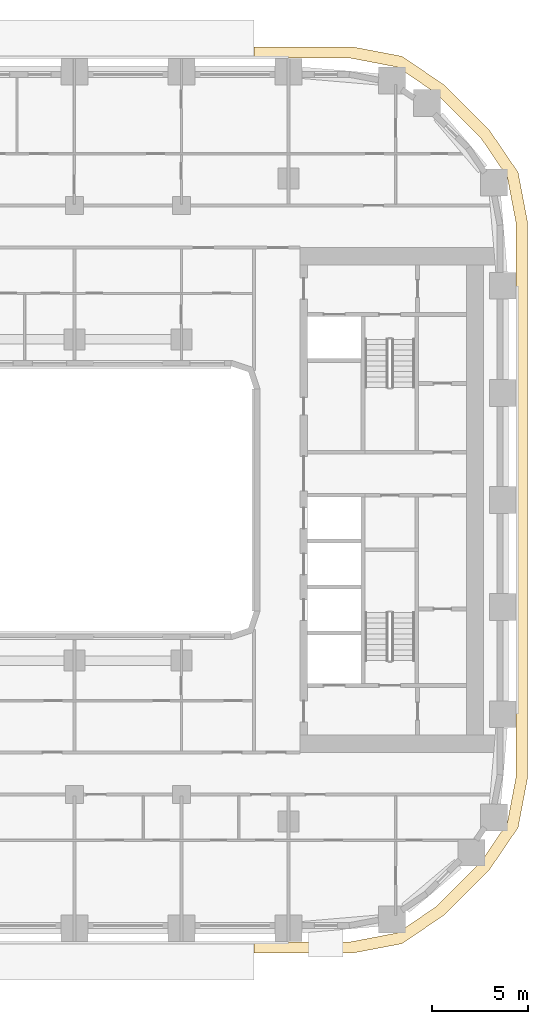
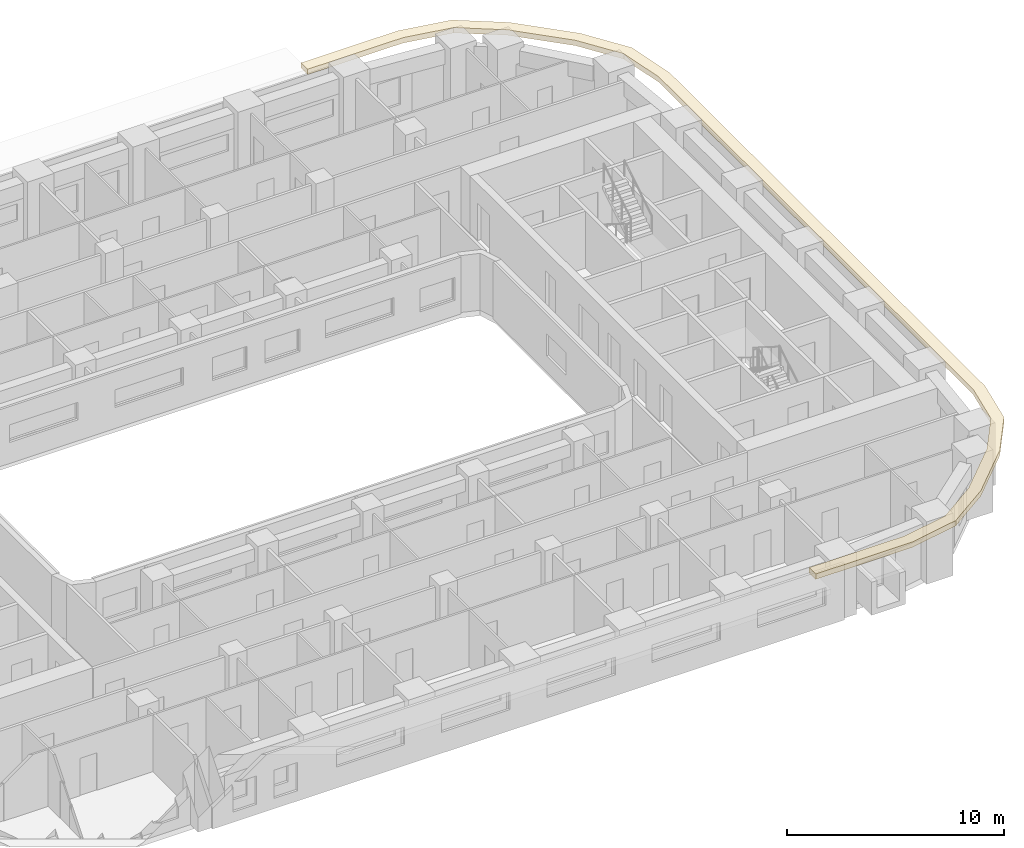
# One storey, part 18 of 22: 1 covering.
"""IFC4 building model written with IfcOpenShell, lengths in metres."""

from ifc_helpers import new_model, si_unit, direction, frame, origin, place, context, subcontext, project, spatial, polyline, outline, extrude, material, layer, layer_set, type_object, element, save


model = new_model("IFC4")

# Units and contexts
model_context = context("Model", 3, precision=1e-05, world=origin(), true_north=direction((0.0, 1.0)))
body_context = subcontext(model_context, "Body", "Model", "MODEL_VIEW")
ifc_project = project(units=[si_unit("LENGTHUNIT", "METRE"), si_unit("AREAUNIT", "SQUARE_METRE"), si_unit("VOLUMEUNIT", "CUBIC_METRE"), si_unit("PLANEANGLEUNIT", "RADIAN"), si_unit("MASSUNIT", "GRAM", prefix="KILO")], contexts=[model_context])

# Site, building, storey
site_placement = place(None, origin())
site = spatial("IfcSite", under=ifc_project, at=site_placement, CompositionType="ELEMENT")
building_placement = place(site_placement, origin())
building = spatial("IfcBuilding", under=site, at=building_placement, Name="Kiln Ring Residences", CompositionType="ELEMENT")
storey_placement = place(building_placement, frame((0.0, 0.0, 58.5)))
storey = spatial("IfcBuildingStorey", under=building, at=storey_placement, Name="L14", CompositionType="ELEMENT", Elevation=58.5)

# Covering
ifc_material = material(Name="Black powder-coated steel", Category="steel")
ifc_layer = layer(ifc_material, 0.300048828125)
ifc_layer_set = layer_set([ifc_layer], Name="SUNSHADE FIN 600")
covering_type = type_object("IfcCoveringType", Name="SUNSHADE FIN 600", PredefinedType="CLADDING", material=ifc_layer_set)
covering_placement = place(storey_placement, frame((0.0, 0.0, 3.199951171875)))
element("IfcCovering", 1, at=covering_placement, inside=storey, type_object=covering_type, Name="SUNSHADE FIN L14", PredefinedType="CLADDING", context=body_context, shape_type="SweptSolid", body=[
    extrude(outline(polyline([(20.122802734375, 23.699951171875), (15.0, 23.699951171875), (15.0, 23.10009765625), (20.066162109375, 23.10009765625), (22.497802734375, 22.63623046875), (24.545166015625, 21.24462890625), (26.8447265625, 18.9453125), (28.236083984375, 16.897705078125), (28.699951171875, 14.46630859375), (28.699951171875, -14.46630859375), (28.236083984375, -16.897705078125), (26.8447265625, -18.9453125), (24.545166015625, -21.24462890625), (22.497802734375, -22.63623046875), (20.066162109375, -23.10009765625), (15.0, -23.10009765625), (15.0, -23.699951171875), (20.122802734375, -23.699951171875), (22.732421875, -23.202392578125), (24.929443359375, -21.708984375), (27.30908203125, -19.329345703125), (28.80224609375, -17.13232421875), (29.300048828125, -14.52294921875), (29.300048828125, 14.52294921875), (28.80224609375, 17.13232421875), (27.30908203125, 19.329345703125), (24.929443359375, 21.708984375), (22.732421875, 23.202392578125), (20.122802734375, 23.699951171875)])), origin(), (0.0, 0.0, 1.0), 0.300048828125),
])

save(model, "model.ifc")
